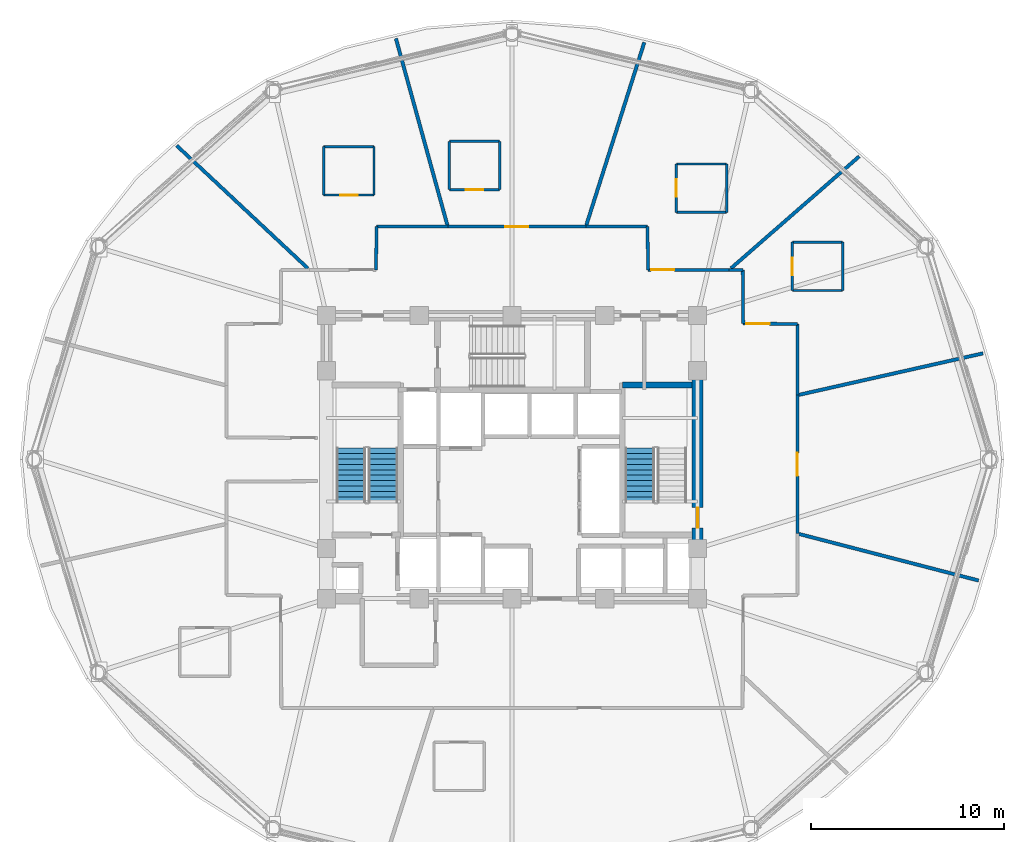
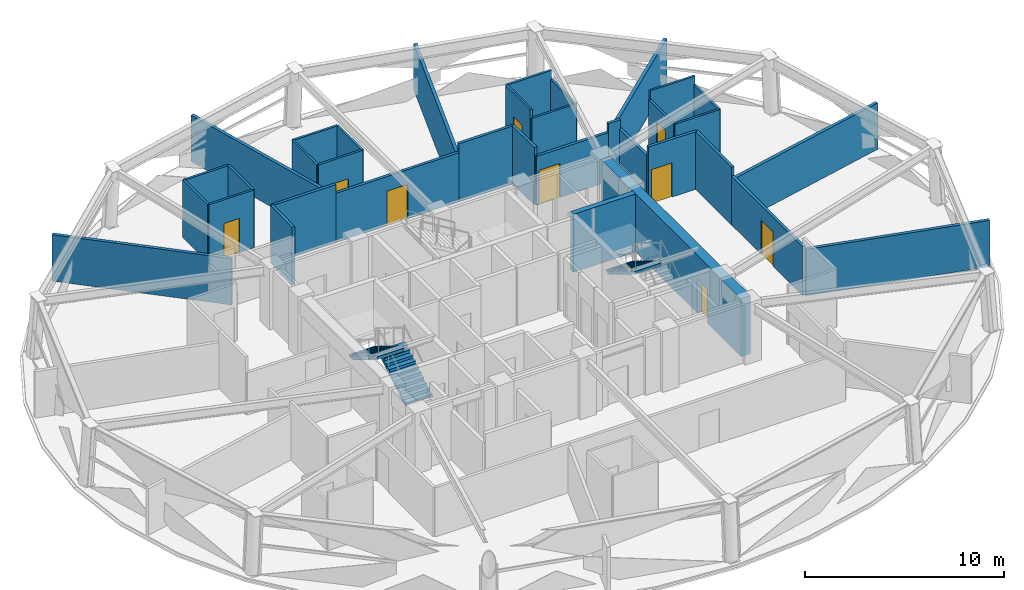
# One storey, part 7 of 12: 35 walls, 9 doors, 3 stair flights, 9 openings, 2 elements without a shape of their own.
"""IFC4 building model written with IfcOpenShell, lengths in metres."""

from ifc_helpers import new_model, si_unit, direction, frame, frame_2d, origin, place, context, subcontext, project, spatial, polyline, rectangle, outline, extrude, material, layer, layer_set, type_object, element, fill, aggregate, save


model = new_model("IFC4")

# Units and contexts
model_context = context("Model", 3, precision=1e-05, world=origin(), true_north=direction((0.0, 1.0)))
body_context = subcontext(model_context, "Body", "Model", "MODEL_VIEW")
ifc_project = project(units=[si_unit("LENGTHUNIT", "METRE"), si_unit("AREAUNIT", "SQUARE_METRE"), si_unit("VOLUMEUNIT", "CUBIC_METRE"), si_unit("PLANEANGLEUNIT", "RADIAN"), si_unit("MASSUNIT", "GRAM", prefix="KILO")], contexts=[model_context])

# Site, building, storey
site_placement = place(None, origin())
site = spatial("IfcSite", under=ifc_project, at=site_placement, CompositionType="ELEMENT")
building_placement = place(site_placement, origin())
building = spatial("IfcBuilding", under=site, at=building_placement, Name="Vantalir Tower", CompositionType="ELEMENT")
storey_placement = place(building_placement, frame((0.0, 0.0, 160.949951171875)))
storey = spatial("IfcBuildingStorey", under=building, at=storey_placement, Name="L40", CompositionType="ELEMENT", Elevation=160.949951171875)

# Walls
ifc_material_1 = material(Name="Moisture-resistant en-suite partition", Category="gypsum")
ifc_layer_1 = layer(ifc_material_1, 0.125)
ifc_layer_set_1 = layer_set([ifc_layer_1], Name="Moisture-resistant en-suite partition")
wall_type_1 = type_object("IfcWallType", Name="WL-BATH-125", PredefinedType="PARTITIONING", material=ifc_layer_set_1)
wall_1_placement = place(storey_placement, frame((46.006103515625, 33.7470703125, 0.0), z_axis=(0.0, 0.0, 1.0), x_axis=(1.0, 0.0, 0.0)))
element("IfcWall", 1, at=wall_1_placement, inside=storey, type_object=wall_type_1, Name="L40 En-suite 01 South Wall", PredefinedType="PARTITIONING", context=body_context, shape_type="SweptSolid", body=[
    extrude(rectangle(XDim=2.599853515625, YDim=0.125, at=frame_2d((1.2998046875, 0.0))), origin(), (0.0, 0.0, 1.0), 3.006103515625),
])
wall_2_placement = place(storey_placement, frame((46.006103515625, 36.2470703125, 0.0), z_axis=(0.0, 0.0, 1.0), x_axis=(1.0, 0.0, 0.0)))
element("IfcWall", 2, at=wall_2_placement, inside=storey, type_object=wall_type_1, Name="L40 En-suite 01 North Wall", PredefinedType="PARTITIONING", context=body_context, shape_type="SweptSolid", body=[
    extrude(rectangle(XDim=2.599853515625, YDim=0.125, at=frame_2d((1.2998046875, 0.0))), origin(), (0.0, 0.0, 1.0), 3.550048828125),
])

# Wall, opening, door
wall_3_placement = place(storey_placement, frame((46.006103515625, 33.7470703125, 0.0), z_axis=(0.0, 0.0, 1.0), x_axis=(0.0, 1.0, 0.0)))
wall_3 = element("IfcWall", 3, at=wall_3_placement, inside=storey, type_object=wall_type_1, Name="L40 En-suite 01 West Wall", PredefinedType="PARTITIONING", context=body_context, shape_type="SweptSolid", body=[
    extrude(rectangle(XDim=2.5, YDim=0.125, at=frame_2d((1.25, 0.0))), origin(), (0.0, 0.0, 1.0), 3.006103515625),
])
opening_1_placement = place(wall_3_placement, frame((0.800048828125, 0.0, 0.0)))
opening_1 = element("IfcOpeningElement", 4, at=opening_1_placement, cuts=wall_3, Name="Opening D-WC", PredefinedType="OPENING", context=body_context, shape_type="SweptSolid", body=[
    extrude(rectangle(XDim=0.89990234375, YDim=2.10009765625, at=frame_2d((0.449951171875, 1.050048828125))), frame((0.0, 0.072509765625, 0.0), z_axis=(0.0, -1.0, 0.0), x_axis=(1.0, 0.0, 0.0)), (0.0, 0.0, 1.0), 0.14501953125),
])
ifc_material_2 = material(Name="Moisture-resistant hardwood door", Category="wood")
door_type_1 = type_object("IfcDoorType", Name="DR-ENSUITE-900", OperationType="NOTDEFINED", PredefinedType="DOOR", material=ifc_material_2)
door_1_placement = place(opening_1_placement, frame((0.89990234375, 0.0, 0.0), z_axis=(0.0, 0.0, 1.0), x_axis=(-1.0, 0.0, 0.0)))
door_1 = element("IfcDoor", 5, at=door_1_placement, inside=storey, type_object=door_type_1, Name="L40 En-suite 01 Door", OperationType="SINGLE_SWING_RIGHT", OverallHeight=2.10009765625, OverallWidth=0.89990234375, PredefinedType="DOOR", context=body_context, shape_type="SweptSolid", body=[
    extrude(rectangle(XDim=0.89990234375, YDim=2.10009765625, at=frame_2d((0.449951171875, 1.050048828125))), frame((0.0, 0.02490234375, 0.0), z_axis=(0.0, -1.0, 0.0), x_axis=(1.0, 0.0, 0.0)), (0.0, 0.0, 1.0), 0.050048828125),
])
fill(opening_1, door_1)

# Walls
wall_4_placement = place(storey_placement, frame((48.60595703125, 33.7470703125, 0.0), z_axis=(0.0, 0.0, 1.0), x_axis=(0.0, 1.0, 0.0)))
element("IfcWall", 6, at=wall_4_placement, inside=storey, type_object=wall_type_1, Name="L40 En-suite 01 East Wall", PredefinedType="PARTITIONING", context=body_context, shape_type="SweptSolid", body=[
    extrude(rectangle(XDim=2.5, YDim=0.125, at=frame_2d((1.25, 0.0))), origin(), (0.0, 0.0, 1.0), 3.006103515625),
])
wall_5_placement = place(storey_placement, frame((40.0029296875, 37.791015625, 0.0), z_axis=(0.0, 0.0, 1.0), x_axis=(1.0, 0.0, 0.0)))
element("IfcWall", 7, at=wall_5_placement, inside=storey, type_object=wall_type_1, Name="L40 En-suite 02 South Wall", PredefinedType="PARTITIONING", context=body_context, shape_type="SweptSolid", body=[
    extrude(rectangle(XDim=2.60009765625, YDim=0.125, at=frame_2d((1.300048828125, 0.0))), origin(), (0.0, 0.0, 1.0), 3.006103515625),
])
wall_6_placement = place(storey_placement, frame((40.0029296875, 40.291015625, 0.0), z_axis=(0.0, 0.0, 1.0), x_axis=(1.0, 0.0, 0.0)))
element("IfcWall", 8, at=wall_6_placement, inside=storey, type_object=wall_type_1, Name="L40 En-suite 02 North Wall", PredefinedType="PARTITIONING", context=body_context, shape_type="SweptSolid", body=[
    extrude(rectangle(XDim=2.60009765625, YDim=0.125, at=frame_2d((1.300048828125, 0.0))), origin(), (0.0, 0.0, 1.0), 3.550048828125),
])

# Wall, opening, door
wall_7_placement = place(storey_placement, frame((40.0029296875, 37.791015625, 0.0), z_axis=(0.0, 0.0, 1.0), x_axis=(0.0, 1.0, 0.0)))
wall_7 = element("IfcWall", 9, at=wall_7_placement, inside=storey, type_object=wall_type_1, Name="L40 En-suite 02 West Wall", PredefinedType="PARTITIONING", context=body_context, shape_type="SweptSolid", body=[
    extrude(rectangle(XDim=2.5, YDim=0.125, at=frame_2d((1.25, 0.0))), origin(), (0.0, 0.0, 1.0), 3.550048828125),
])
opening_2_placement = place(wall_7_placement, frame((0.800048828125, 0.0, 0.0)))
opening_2 = element("IfcOpeningElement", 10, at=opening_2_placement, cuts=wall_7, Name="Opening D-WC", PredefinedType="OPENING", context=body_context, shape_type="SweptSolid", body=[
    extrude(rectangle(XDim=0.89990234375, YDim=2.10009765625, at=frame_2d((0.449951171875, 1.050048828125))), frame((0.0, 0.072509765625, 0.0), z_axis=(0.0, -1.0, 0.0), x_axis=(1.0, 0.0, 0.0)), (0.0, 0.0, 1.0), 0.14501953125),
])
door_2_placement = place(opening_2_placement, frame((0.89990234375, 0.0, 0.0), z_axis=(0.0, 0.0, 1.0), x_axis=(-1.0, 0.0, 0.0)))
door_2 = element("IfcDoor", 11, at=door_2_placement, inside=storey, type_object=door_type_1, Name="L40 En-suite 02 Door", OperationType="SINGLE_SWING_LEFT", OverallHeight=2.10009765625, OverallWidth=0.89990234375, PredefinedType="DOOR", context=body_context, shape_type="SweptSolid", body=[
    extrude(rectangle(XDim=0.89990234375, YDim=2.10009765625, at=frame_2d((0.449951171875, 1.050048828125))), frame((0.0, 0.02490234375, 0.0), z_axis=(0.0, -1.0, 0.0), x_axis=(1.0, 0.0, 0.0)), (0.0, 0.0, 1.0), 0.050048828125),
])
fill(opening_2, door_2)

# Wall
wall_8_placement = place(storey_placement, frame((42.60302734375, 37.791015625, 0.0), z_axis=(0.0, 0.0, 1.0), x_axis=(0.0, 1.0, 0.0)))
element("IfcWall", 12, at=wall_8_placement, inside=storey, type_object=wall_type_1, Name="L40 En-suite 02 East Wall", PredefinedType="PARTITIONING", context=body_context, shape_type="SweptSolid", body=[
    extrude(rectangle(XDim=2.5, YDim=0.125, at=frame_2d((1.25, 0.0))), origin(), (0.0, 0.0, 1.0), 3.006103515625),
])

# Wall, opening, door
wall_9_placement = place(storey_placement, frame((28.258056640625, 38.9619140625, 0.0), z_axis=(0.0, 0.0, 1.0), x_axis=(1.0, 0.0, 0.0)))
wall_9 = element("IfcWall", 13, at=wall_9_placement, inside=storey, type_object=wall_type_1, Name="L40 En-suite 03 South Wall", PredefinedType="PARTITIONING", context=body_context, shape_type="SweptSolid", body=[
    extrude(rectangle(XDim=2.599853515625, YDim=0.125, at=frame_2d((1.2998046875, 0.0))), origin(), (0.0, 0.0, 1.0), 3.550048828125),
])
opening_3_placement = place(wall_9_placement, frame((0.85009765625, 0.0, 0.0)))
opening_3 = element("IfcOpeningElement", 14, at=opening_3_placement, cuts=wall_9, Name="Opening D-WC", PredefinedType="OPENING", context=body_context, shape_type="SweptSolid", body=[
    extrude(rectangle(XDim=0.89990234375, YDim=2.10009765625, at=frame_2d((0.449951171875, 1.050048828125))), frame((0.0, 0.072509765625, 0.0), z_axis=(0.0, -1.0, 0.0), x_axis=(1.0, 0.0, 0.0)), (0.0, 0.0, 1.0), 0.14501953125),
])
door_3_placement = place(opening_3_placement, origin())
door_3 = element("IfcDoor", 15, at=door_3_placement, inside=storey, type_object=door_type_1, Name="L40 En-suite 03 Door", OperationType="SINGLE_SWING_RIGHT", OverallHeight=2.10009765625, OverallWidth=0.89990234375, PredefinedType="DOOR", context=body_context, shape_type="SweptSolid", body=[
    extrude(rectangle(XDim=0.89990234375, YDim=2.10009765625, at=frame_2d((0.449951171875, 1.050048828125))), frame((0.0, 0.02490234375, 0.0), z_axis=(0.0, -1.0, 0.0), x_axis=(1.0, 0.0, 0.0)), (0.0, 0.0, 1.0), 0.050048828125),
])
fill(opening_3, door_3)

# Walls
wall_10_placement = place(storey_placement, frame((28.258056640625, 41.4619140625, 0.0), z_axis=(0.0, 0.0, 1.0), x_axis=(1.0, 0.0, 0.0)))
element("IfcWall", 16, at=wall_10_placement, inside=storey, type_object=wall_type_1, Name="L40 En-suite 03 North Wall", PredefinedType="PARTITIONING", context=body_context, shape_type="SweptSolid", body=[
    extrude(rectangle(XDim=2.599853515625, YDim=0.125, at=frame_2d((1.2998046875, 0.0))), origin(), (0.0, 0.0, 1.0), 3.550048828125),
])
for number, where, z_axis, x_axis, name in (
    (17, (28.258056640625, 38.9619140625, 0.0), (0.0, 0.0, 1.0), (0.0, 1.0, 0.0), "L40 En-suite 03 West Wall"),
    (18, (30.85791015625, 38.9619140625, 0.0), (0.0, 0.0, 1.0), (0.0, 1.0, 0.0), "L40 En-suite 03 East Wall"),
):
    element("IfcWall", number, at=place(storey_placement, frame(where, z_axis=z_axis, x_axis=x_axis)), inside=storey, type_object=wall_type_1, Name=name, PredefinedType="PARTITIONING", context=body_context, shape_type="SweptSolid", body=[
        extrude(rectangle(XDim=2.5, YDim=0.125, at=frame_2d((1.25, 0.0))), origin(), (0.0, 0.0, 1.0), 3.550048828125),
    ])

# Wall, opening, door
wall_11_placement = place(storey_placement, frame((21.758056640625, 38.68701171875, 0.0), z_axis=(0.0, 0.0, 1.0), x_axis=(1.0, 0.0, 0.0)))
wall_11 = element("IfcWall", 19, at=wall_11_placement, inside=storey, type_object=wall_type_1, Name="L40 En-suite 04 South Wall", PredefinedType="PARTITIONING", context=body_context, shape_type="SweptSolid", body=[
    extrude(rectangle(XDim=2.599853515625, YDim=0.125, at=frame_2d((1.2998046875, 0.0))), origin(), (0.0, 0.0, 1.0), 3.550048828125),
])
opening_4_placement = place(wall_11_placement, frame((0.85009765625, 0.0, 0.0)))
opening_4 = element("IfcOpeningElement", 20, at=opening_4_placement, cuts=wall_11, Name="Opening D-WC", PredefinedType="OPENING", context=body_context, shape_type="SweptSolid", body=[
    extrude(rectangle(XDim=0.89990234375, YDim=2.10009765625, at=frame_2d((0.449951171875, 1.050048828125))), frame((0.0, 0.072509765625, 0.0), z_axis=(0.0, -1.0, 0.0), x_axis=(1.0, 0.0, 0.0)), (0.0, 0.0, 1.0), 0.14501953125),
])
door_4_placement = place(opening_4_placement, origin())
door_4 = element("IfcDoor", 21, at=door_4_placement, inside=storey, type_object=door_type_1, Name="L40 En-suite 04 Door", OperationType="SINGLE_SWING_LEFT", OverallHeight=2.10009765625, OverallWidth=0.89990234375, PredefinedType="DOOR", context=body_context, shape_type="SweptSolid", body=[
    extrude(rectangle(XDim=0.89990234375, YDim=2.10009765625, at=frame_2d((0.449951171875, 1.050048828125))), frame((0.0, 0.02490234375, 0.0), z_axis=(0.0, -1.0, 0.0), x_axis=(1.0, 0.0, 0.0)), (0.0, 0.0, 1.0), 0.050048828125),
])
fill(opening_4, door_4)

# Walls
wall_12_placement = place(storey_placement, frame((21.758056640625, 41.18701171875, 0.0), z_axis=(0.0, 0.0, 1.0), x_axis=(1.0, 0.0, 0.0)))
element("IfcWall", 22, at=wall_12_placement, inside=storey, type_object=wall_type_1, Name="L40 En-suite 04 North Wall", PredefinedType="PARTITIONING", context=body_context, shape_type="SweptSolid", body=[
    extrude(rectangle(XDim=2.599853515625, YDim=0.125, at=frame_2d((1.2998046875, 0.0))), origin(), (0.0, 0.0, 1.0), 3.550048828125),
])
for number, where, z_axis, x_axis, name in (
    (23, (21.758056640625, 38.68701171875, 0.0), (0.0, 0.0, 1.0), (0.0, 1.0, 0.0), "L40 En-suite 04 West Wall"),
    (24, (24.35791015625, 38.68701171875, 0.0), (0.0, 0.0, 1.0), (0.0, 1.0, 0.0), "L40 En-suite 04 East Wall"),
):
    element("IfcWall", number, at=place(storey_placement, frame(where, z_axis=z_axis, x_axis=x_axis)), inside=storey, type_object=wall_type_1, Name=name, PredefinedType="PARTITIONING", context=body_context, shape_type="SweptSolid", body=[
        extrude(rectangle(XDim=2.5, YDim=0.125, at=frame_2d((1.25, 0.0))), origin(), (0.0, 0.0, 1.0), 3.550048828125),
    ])

# Wall, opening, door
ifc_material_3 = material(Name="Concrete C60/75", Category="concrete")
ifc_layer_2 = layer(ifc_material_3, 0.550048828125)
ifc_layer_set_2 = layer_set([ifc_layer_2], Name="Concrete C60/75")
wall_type_2 = type_object("IfcWallType", Name="WL-CORE-550", PredefinedType="SHEAR", material=ifc_layer_set_2)
wall_13_placement = place(storey_placement, frame((41.10009765625, 18.074951171875, 0.0), z_axis=(0.0, 0.0, 1.0), x_axis=(0.0, 1.0, 0.0)))
wall_13 = element("IfcWall", 25, at=wall_13_placement, inside=storey, type_object=wall_type_2, Name="L40 Core Shear Wall East", PredefinedType="SHEAR", context=body_context, shape_type="SweptSolid", body=[
    extrude(rectangle(XDim=14.10009765625, YDim=0.550048828125, at=frame_2d((7.050048828125, 0.0))), origin(), (0.0, 0.0, 1.0), 3.570068359375),
])
opening_5_placement = place(wall_13_placement, frame((3.385009765625, 0.0, 0.0)))
opening_5 = element("IfcOpeningElement", 26, at=opening_5_placement, cuts=wall_13, Name="Opening D-ST", PredefinedType="OPENING", context=body_context, shape_type="SweptSolid", body=[
    extrude(rectangle(XDim=1.050048828125, YDim=2.10009765625, at=frame_2d((0.52490234375, 1.050048828125))), frame((0.0, 0.284912109375, 0.0), z_axis=(0.0, -1.0, 0.0), x_axis=(1.0, 0.0, 0.0)), (0.0, 0.0, 1.0), 0.570068359375),
])
ifc_material_4 = material(Name="Fire-rated steel door leaf", Category="steel")
door_type_2 = type_object("IfcDoorType", Name="DR-FIRE-STAIR-1050", OperationType="NOTDEFINED", PredefinedType="DOOR", material=ifc_material_4)
door_5_placement = place(opening_5_placement, origin())
door_5 = element("IfcDoor", 27, at=door_5_placement, inside=storey, type_object=door_type_2, Name="L40 Exit Stair ST2 Fire Door", OperationType="SINGLE_SWING_LEFT", OverallHeight=2.10009765625, OverallWidth=1.050048828125, PredefinedType="DOOR", context=body_context, shape_type="SweptSolid", body=[
    extrude(rectangle(XDim=1.050048828125, YDim=2.10009765625, at=frame_2d((0.52490234375, 1.050048828125))), frame((0.0, 0.02490234375, 0.0), z_axis=(0.0, -1.0, 0.0), x_axis=(1.0, 0.0, 0.0)), (0.0, 0.0, 1.0), 0.050048828125),
])
fill(opening_5, door_5)

# Walls
ifc_material_5 = material(Name="Fire-rated hotel corridor acoustic partition", Category="gypsum")
ifc_layer_3 = layer(ifc_material_5, 0.159912109375)
ifc_layer_set_3 = layer_set([ifc_layer_3], Name="Fire-rated hotel corridor acoustic partition")
wall_type_3 = type_object("IfcWallType", Name="WL-CORR-160", PredefinedType="PARTITIONING", material=ifc_layer_set_3)
wall_14_placement = place(storey_placement, frame((24.4599609375, 34.81494140625, 0.0), z_axis=(0.0, 0.0, 1.0), x_axis=(0.016149808833, 0.999869583333, 0.0)))
element("IfcWall", 28, at=wall_14_placement, inside=storey, type_object=wall_type_3, Name="L40 Corridor Partition 08", PredefinedType="PARTITIONING", context=body_context, shape_type="SweptSolid", body=[
    extrude(rectangle(XDim=2.2373046875, YDim=0.159912109375, at=frame_2d((1.11865234375, 0.0))), origin(), (0.0, 0.0, 1.0), 3.550048828125),
])
wall_15_placement = place(storey_placement, frame((24.49609375, 37.052001953125, 0.0), z_axis=(0.0, 0.0, 1.0), x_axis=(1.0, 0.0, 0.0)))
element("IfcWall", 29, at=wall_15_placement, inside=storey, type_object=wall_type_3, Name="L40 Corridor Partition 09", PredefinedType="PARTITIONING", context=body_context, shape_type="SweptSolid", body=[
    extrude(rectangle(XDim=3.680908203125, YDim=0.159912109375, at=frame_2d((1.84033203125, 0.0))), origin(), (0.0, 0.0, 1.0), 3.550048828125),
])

# Wall, opening, door
wall_16_placement = place(storey_placement, frame((28.177001953125, 37.052001953125, 0.0), z_axis=(0.0, 0.0, 1.0), x_axis=(0.99999999066, -0.000136677372, 0.0)))
wall_16 = element("IfcWall", 30, at=wall_16_placement, inside=storey, type_object=wall_type_3, Name="L40 Corridor Partition 10", PredefinedType="PARTITIONING", context=body_context, shape_type="SweptSolid", body=[
    extrude(rectangle(XDim=7.14501953125, YDim=0.159912109375, at=frame_2d((3.572509765625, 0.0))), origin(), (0.0, 0.0, 1.0), 3.006103515625),
])
opening_6_placement = place(wall_16_placement, frame((2.972900390625, 0.0, 0.0)))
opening_6 = element("IfcOpeningElement", 31, at=opening_6_placement, cuts=wall_16, Name="Opening D-STE", PredefinedType="OPENING", context=body_context, shape_type="SweptSolid", body=[
    extrude(rectangle(XDim=1.199951171875, YDim=2.10009765625, at=frame_2d((0.60009765625, 1.050048828125))), frame((0.0, 0.08984375, 0.0), z_axis=(0.0, -1.0, 0.0), x_axis=(1.0, 0.0, 0.0)), (0.0, 0.0, 1.0), 0.179931640625),
])
ifc_material_6 = material(Name="Solid-core teak veneer suite entrance door", Category="wood")
door_type_3 = type_object("IfcDoorType", Name="DR-SUITE-ENTRY-1200", OperationType="NOTDEFINED", PredefinedType="DOOR", material=ifc_material_6)
door_6_placement = place(opening_6_placement, origin())
door_6 = element("IfcDoor", 32, at=door_6_placement, inside=storey, type_object=door_type_3, Name="L40 Executive Club Hotel Suite 03 Door", OperationType="SINGLE_SWING_RIGHT", OverallHeight=2.10009765625, OverallWidth=1.199951171875, PredefinedType="DOOR", context=body_context, shape_type="SweptSolid", body=[
    extrude(rectangle(XDim=1.199951171875, YDim=2.10009765625, at=frame_2d((0.60009765625, 1.050048828125))), frame((0.0, 0.02490234375, 0.0), z_axis=(0.0, -1.0, 0.0), x_axis=(1.0, 0.0, 0.0)), (0.0, 0.0, 1.0), 0.050048828125),
])
fill(opening_6, door_6)

# Walls
wall_17_placement = place(storey_placement, frame((35.322021484375, 37.051025390625, 0.0), z_axis=(0.0, 0.0, 1.0), x_axis=(1.0, 0.0, 0.0)))
element("IfcWall", 33, at=wall_17_placement, inside=storey, type_object=wall_type_3, Name="L40 Corridor Partition 11", PredefinedType="PARTITIONING", context=body_context, shape_type="SweptSolid", body=[
    extrude(rectangle(XDim=3.18994140625, YDim=0.159912109375, at=frame_2d((1.594970703125, 0.0))), origin(), (0.0, 0.0, 1.0), 3.550048828125),
])
wall_18_placement = place(storey_placement, frame((38.511962890625, 37.051025390625, 0.0), z_axis=(0.0, 0.0, 1.0), x_axis=(0.012554966271, -0.999921183305, 0.0)))
element("IfcWall", 34, at=wall_18_placement, inside=storey, type_object=wall_type_3, Name="L40 Corridor Partition 12", PredefinedType="PARTITIONING", context=body_context, shape_type="SweptSolid", body=[
    extrude(rectangle(XDim=2.236328125, YDim=0.159912109375, at=frame_2d((1.1181640625, 0.0))), origin(), (0.0, 0.0, 1.0), 3.550048828125),
])

# Wall, opening, door
wall_19_placement = place(storey_placement, frame((38.5400390625, 34.81494140625, 0.0), z_axis=(0.0, 0.0, 1.0), x_axis=(0.999999756484, -0.00069787712, 0.0)))
wall_19 = element("IfcWall", 35, at=wall_19_placement, inside=storey, type_object=wall_type_3, Name="L40 Corridor Partition 13", PredefinedType="PARTITIONING", context=body_context, shape_type="SweptSolid", body=[
    extrude(rectangle(XDim=4.197998046875, YDim=0.159912109375, at=frame_2d((2.09912109375, 0.0))), origin(), (0.0, 0.0, 1.0), 3.006103515625),
])
opening_7_placement = place(wall_19_placement, frame((0.159912109375, 0.0, 0.0)))
opening_7 = element("IfcOpeningElement", 36, at=opening_7_placement, cuts=wall_19, Name="Opening D-STE", PredefinedType="OPENING", context=body_context, shape_type="SweptSolid", body=[
    extrude(rectangle(XDim=1.199951171875, YDim=2.10009765625, at=frame_2d((0.60009765625, 1.050048828125))), frame((0.0, 0.08984375, 0.0), z_axis=(0.0, -1.0, 0.0), x_axis=(1.0, 0.0, 0.0)), (0.0, 0.0, 1.0), 0.179931640625),
])
door_7_placement = place(opening_7_placement, origin())
door_7 = element("IfcDoor", 37, at=door_7_placement, inside=storey, type_object=door_type_3, Name="L40 Executive Club Hotel Suite 02 Door", OperationType="SINGLE_SWING_LEFT", OverallHeight=2.10009765625, OverallWidth=1.199951171875, PredefinedType="DOOR", context=body_context, shape_type="SweptSolid", body=[
    extrude(rectangle(XDim=1.199951171875, YDim=2.10009765625, at=frame_2d((0.60009765625, 1.050048828125))), frame((0.0, 0.02490234375, 0.0), z_axis=(0.0, -1.0, 0.0), x_axis=(1.0, 0.0, 0.0)), (0.0, 0.0, 1.0), 0.050048828125),
])
fill(opening_7, door_7)

# Walls
wall_20_placement = place(storey_placement, frame((42.738037109375, 34.81201171875, 0.0), z_axis=(0.0, 0.0, 1.0), x_axis=(1.0, 0.0, 0.0)))
element("IfcWall", 38, at=wall_20_placement, inside=storey, type_object=wall_type_3, Name="L40 Corridor Partition 14", PredefinedType="PARTITIONING", context=body_context, shape_type="SweptSolid", body=[
    extrude(rectangle(XDim=0.701904296875, YDim=0.159912109375, at=frame_2d((0.35107421875, 0.0))), origin(), (0.0, 0.0, 1.0), 3.550048828125),
])
wall_21_placement = place(storey_placement, frame((43.43994140625, 34.81201171875, 0.0), z_axis=(0.0, 0.0, 1.0), x_axis=(0.009071319538, -0.999958854734, 0.0)))
element("IfcWall", 39, at=wall_21_placement, inside=storey, type_object=wall_type_3, Name="L40 Corridor Partition 15", PredefinedType="PARTITIONING", context=body_context, shape_type="SweptSolid", body=[
    extrude(rectangle(XDim=2.77197265625, YDim=0.159912109375, at=frame_2d((1.385986328125, 0.0))), origin(), (0.0, 0.0, 1.0), 3.006103515625),
])

# Wall, opening, door
wall_22_placement = place(storey_placement, frame((43.465087890625, 32.0400390625, 0.0), z_axis=(0.0, 0.0, 1.0), x_axis=(0.99995973187, -0.008974109295, 0.0)))
wall_22 = element("IfcWall", 40, at=wall_22_placement, inside=storey, type_object=wall_type_3, Name="L40 Corridor Partition 16", PredefinedType="PARTITIONING", context=body_context, shape_type="SweptSolid", body=[
    extrude(rectangle(XDim=2.802001953125, YDim=0.159912109375, at=frame_2d((1.40087890625, 0.0))), origin(), (0.0, 0.0, 1.0), 3.550048828125),
])
opening_8_placement = place(wall_22_placement, frame((0.159912109375, 0.0, 0.0)))
opening_8 = element("IfcOpeningElement", 41, at=opening_8_placement, cuts=wall_22, Name="Opening D-STE", PredefinedType="OPENING", context=body_context, shape_type="SweptSolid", body=[
    extrude(rectangle(XDim=1.199951171875, YDim=2.10009765625, at=frame_2d((0.60009765625, 1.050048828125))), frame((0.0, 0.08984375, 0.0), z_axis=(0.0, -1.0, 0.0), x_axis=(1.0, 0.0, 0.0)), (0.0, 0.0, 1.0), 0.179931640625),
])
door_8_placement = place(opening_8_placement, origin())
door_8 = element("IfcDoor", 42, at=door_8_placement, inside=storey, type_object=door_type_3, Name="L40 Corner Panorama Hotel Suite 01 Door", OperationType="SINGLE_SWING_RIGHT", OverallHeight=2.10009765625, OverallWidth=1.199951171875, PredefinedType="DOOR", context=body_context, shape_type="SweptSolid", body=[
    extrude(rectangle(XDim=1.199951171875, YDim=2.10009765625, at=frame_2d((0.60009765625, 1.050048828125))), frame((0.0, 0.02490234375, 0.0), z_axis=(0.0, -1.0, 0.0), x_axis=(1.0, 0.0, 0.0)), (0.0, 0.0, 1.0), 0.050048828125),
])
fill(opening_8, door_8)

# Wall
wall_23_placement = place(storey_placement, frame((46.26708984375, 32.014892578125, 0.0), z_axis=(0.0, 0.0, 1.0), x_axis=(0.0, -1.0, 0.0)))
element("IfcWall", 43, at=wall_23_placement, inside=storey, type_object=wall_type_3, Name="L40 Corridor Partition 17", PredefinedType="PARTITIONING", context=body_context, shape_type="SweptSolid", body=[
    extrude(rectangle(XDim=3.685791015625, YDim=0.159912109375, at=frame_2d((1.8427734375, 0.0))), origin(), (0.0, 0.0, 1.0), 3.550048828125),
])

# Wall, opening, door
wall_24_placement = place(storey_placement, frame((46.26708984375, 28.3291015625, 0.0), z_axis=(0.0, 0.0, 1.0), x_axis=(0.000136425647, -0.999999990694, 0.0)))
wall_24 = element("IfcWall", 44, at=wall_24_placement, inside=storey, type_object=wall_type_3, Name="L40 Corridor Partition 18", PredefinedType="PARTITIONING", context=body_context, shape_type="SweptSolid", body=[
    extrude(rectangle(XDim=7.158203125, YDim=0.159912109375, at=frame_2d((3.5791015625, 0.0))), origin(), (0.0, 0.0, 1.0), 3.006103515625),
])
opening_9_placement = place(wall_24_placement, frame((2.97900390625, 0.0, 0.0)))
opening_9 = element("IfcOpeningElement", 45, at=opening_9_placement, cuts=wall_24, Name="Opening D-STE", PredefinedType="OPENING", context=body_context, shape_type="SweptSolid", body=[
    extrude(rectangle(XDim=1.199951171875, YDim=2.10009765625, at=frame_2d((0.60009765625, 1.050048828125))), frame((0.0, 0.08984375, 0.0), z_axis=(0.0, -1.0, 0.0), x_axis=(1.0, 0.0, 0.0)), (0.0, 0.0, 1.0), 0.179931640625),
])
door_9_placement = place(opening_9_placement, origin())
door_9 = element("IfcDoor", 46, at=door_9_placement, inside=storey, type_object=door_type_3, Name="L40 Executive Sky Boardroom 10 Door", OperationType="SINGLE_SWING_LEFT", OverallHeight=2.10009765625, OverallWidth=1.199951171875, PredefinedType="DOOR", context=body_context, shape_type="SweptSolid", body=[
    extrude(rectangle(XDim=1.199951171875, YDim=2.10009765625, at=frame_2d((0.60009765625, 1.050048828125))), frame((0.0, 0.02490234375, 0.0), z_axis=(0.0, -1.0, 0.0), x_axis=(1.0, 0.0, 0.0)), (0.0, 0.0, 1.0), 0.050048828125),
])
fill(opening_9, door_9)

# Walls
ifc_material_7 = material(Name="Twin-stud acoustic fire-rated gypsum partition", Category="gypsum")
ifc_layer_4 = layer(ifc_material_7, 0.179931640625)
ifc_layer_set_4 = layer_set([ifc_layer_4], Name="Twin-stud acoustic fire-rated gypsum partition")
wall_type_4 = type_object("IfcWallType", Name="WL-GUEST-180", PredefinedType="PARTITIONING", material=ifc_layer_set_4)
wall_25_placement = place(storey_placement, frame((46.344970703125, 28.346923828125, 0.0), z_axis=(0.0, 0.0, 1.0), x_axis=(0.975513709094, 0.219938635466, 0.0)))
element("IfcWall", 47, at=wall_25_placement, inside=storey, type_object=wall_type_4, Name="L40 Radial Suite Partition 01", PredefinedType="PARTITIONING", context=body_context, shape_type="SweptSolid", body=[
    extrude(rectangle(XDim=9.767333984375, YDim=0.179931640625, at=frame_2d((4.8837890625, 0.0))), origin(), (0.0, 0.0, 1.0), 2.85205078125),
])
wall_26_placement = place(storey_placement, frame((42.826904296875, 34.889892578125, 0.0), z_axis=(0.0, 0.0, 1.0), x_axis=(0.753245296601, 0.657739707748, 0.0)))
element("IfcWall", 48, at=wall_26_placement, inside=storey, type_object=wall_type_4, Name="L40 Radial Suite Partition 02", PredefinedType="PARTITIONING", context=body_context, shape_type="SweptSolid", body=[
    extrude(rectangle(XDim=8.816650390625, YDim=0.179931640625, at=frame_2d((4.408203125, 0.0))), origin(), (0.0, 0.0, 1.0), 2.85205078125),
])
wall_27_placement = place(storey_placement, frame((35.345947265625, 37.1279296875, 0.0), z_axis=(0.0, 0.0, 1.0), x_axis=(0.302318013696, 0.95320712261, 0.0)))
element("IfcWall", 49, at=wall_27_placement, inside=storey, type_object=wall_type_4, Name="L40 Radial Suite Partition 03", PredefinedType="PARTITIONING", context=body_context, shape_type="SweptSolid", body=[
    extrude(rectangle(XDim=9.92333984375, YDim=0.179931640625, at=frame_2d((4.961669921875, 0.0))), origin(), (0.0, 0.0, 1.0), 2.85205078125),
])
wall_28_placement = place(storey_placement, frame((28.156005859375, 37.1279296875, 0.0), z_axis=(0.0, 0.0, 1.0), x_axis=(-0.265763479933, 0.964038263107, 0.0)))
element("IfcWall", 50, at=wall_28_placement, inside=storey, type_object=wall_type_4, Name="L40 Radial Suite Partition 04", PredefinedType="PARTITIONING", context=body_context, shape_type="SweptSolid", body=[
    extrude(rectangle(XDim=10.0205078125, YDim=0.179931640625, at=frame_2d((5.01025390625, 0.0))), origin(), (0.0, 0.0, 1.0), 2.85205078125),
])
wall_29_placement = place(storey_placement, frame((20.93798828125, 34.889892578125, 0.0), z_axis=(0.0, 0.0, 1.0), x_axis=(-0.730006343417, 0.683440369433, 0.0)))
element("IfcWall", 51, at=wall_29_placement, inside=storey, type_object=wall_type_4, Name="L40 Radial Suite Partition 05", PredefinedType="PARTITIONING", context=body_context, shape_type="SweptSolid", body=[
    extrude(rectangle(XDim=9.295654296875, YDim=0.179931640625, at=frame_2d((4.64794921875, 0.0))), origin(), (0.0, 0.0, 1.0), 2.85205078125),
])
wall_30_placement = place(storey_placement, frame((46.344970703125, 21.15087890625, 0.0), z_axis=(0.0, 0.0, 1.0), x_axis=(0.967996440842, -0.250963922742, 0.0)))
element("IfcWall", 52, at=wall_30_placement, inside=storey, type_object=wall_type_4, Name="L40 Radial Suite Partition 10", PredefinedType="PARTITIONING", context=body_context, shape_type="SweptSolid", body=[
    extrude(rectangle(XDim=9.6064453125, YDim=0.179931640625, at=frame_2d((4.80322265625, 0.0))), origin(), (0.0, 0.0, 1.0), 2.85205078125),
])
ifc_material_8 = material(Name="Concrete C50/60", Category="concrete")
ifc_layer_5 = layer(ifc_material_8, 0.300048828125)
ifc_layer_set_5 = layer_set([ifc_layer_5], Name="Concrete C50/60")
wall_type_5 = type_object("IfcWallType", Name="WL-STAIR-300", PredefinedType="SHEAR", material=ifc_layer_set_5)
wall_31_placement = place(storey_placement, frame((37.2099609375, 28.85009765625, 0.0), z_axis=(0.0, 0.0, 1.0), x_axis=(1.0, 0.0, 0.0)))
element("IfcWall", 53, at=wall_31_placement, inside=storey, type_object=wall_type_5, Name="L40 Stair ST2 North Wall", PredefinedType="SHEAR", context=body_context, shape_type="SweptSolid", body=[
    extrude(rectangle(XDim=3.614990234375, YDim=0.300048828125, at=frame_2d((1.8076171875, 0.0))), origin(), (0.0, 0.0, 1.0), 3.570068359375),
])

# Stair, stair flights
ifc_material_9 = material(Name="Concrete C40/50", Category="concrete")
stair_type = type_object("IfcStairType", Name="STR-CORE-1450", PredefinedType="HALF_TURN_STAIR", material=ifc_material_9)
stair_1_placement = place(storey_placement, origin())
stair_1 = element("IfcStair", 54, at=stair_1_placement, inside=storey, type_object=stair_type, Name="L40 Core Exit Stair 1", PredefinedType="HALF_TURN_STAIR")
stair_flight_type = type_object("IfcStairFlightType", Name="FLT-CORE-1450", PredefinedType="STRAIGHT", material=ifc_material_9)
stair_flight_1_placement = place(storey_placement, frame((24.830078125, 22.7900390625, 0.0), z_axis=(0.0, 0.0, 1.0), x_axis=(0.0, 1.0, 0.0)))
stair_flight_1 = element("IfcStairFlight", 55, at=stair_flight_1_placement, type_object=stair_flight_type, Name="ST1 flight 1", NumberOfRisers=11, NumberOfTreads=10, PredefinedType="STRAIGHT", RiserHeight=0.170454545, TreadLength=0.28, context=body_context, shape_type="SweptSolid", body=[
    extrude(outline(polyline([(0.0, 0.0), (0.0, 0.17041015625), (0.280029296875, 0.17041015625), (0.280029296875, 0.3408203125), (0.56005859375, 0.3408203125), (0.56005859375, 0.511474609375), (0.840087890625, 0.511474609375), (0.840087890625, 0.681884765625), (1.1201171875, 0.681884765625), (1.1201171875, 0.852294921875), (1.39990234375, 0.852294921875), (1.39990234375, 1.022705078125), (1.679931640625, 1.022705078125), (1.679931640625, 1.193115234375), (1.9599609375, 1.193115234375), (1.9599609375, 1.363525390625), (2.239990234375, 1.363525390625), (2.239990234375, 1.5341796875), (2.52001953125, 1.5341796875), (2.52001953125, 1.70458984375), (2.800048828125, 1.70458984375), (2.800048828125, 1.875), (2.800048828125, 1.529052734375), (0.288330078125, 0.0), (0.0, 0.0)])), frame((0.0, 0.77001953125, 0.0), z_axis=(0.0, -1.0, 0.0), x_axis=(1.0, 0.0, 0.0)), (0.0, 0.0, 1.0), 1.5400390625),
])
stair_flight_2_placement = place(storey_placement, frame((23.169921875, 25.590087890625, 1.875), z_axis=(0.0, 0.0, 1.0), x_axis=(0.0, -1.0, 0.0)))
stair_flight_2 = element("IfcStairFlight", 56, at=stair_flight_2_placement, type_object=stair_flight_type, Name="ST1 flight 2", NumberOfRisers=11, NumberOfTreads=10, PredefinedType="STRAIGHT", RiserHeight=0.170454545, TreadLength=0.28, context=body_context, shape_type="SweptSolid", body=[
    extrude(outline(polyline([(0.0, 0.0), (0.0, 0.17041015625), (0.280029296875, 0.17041015625), (0.280029296875, 0.3408203125), (0.56005859375, 0.3408203125), (0.56005859375, 0.511474609375), (0.840087890625, 0.511474609375), (0.840087890625, 0.681884765625), (1.1201171875, 0.681884765625), (1.1201171875, 0.852294921875), (1.39990234375, 0.852294921875), (1.39990234375, 1.022705078125), (1.679931640625, 1.022705078125), (1.679931640625, 1.193115234375), (1.9599609375, 1.193115234375), (1.9599609375, 1.363525390625), (2.239990234375, 1.363525390625), (2.239990234375, 1.5341796875), (2.52001953125, 1.5341796875), (2.52001953125, 1.70458984375), (2.800048828125, 1.70458984375), (2.800048828125, 1.875), (2.800048828125, 1.529052734375), (0.288330078125, 0.0), (0.0, 0.0)])), frame((0.0, 0.77001953125, 0.0), z_axis=(0.0, -1.0, 0.0), x_axis=(1.0, 0.0, 0.0)), (0.0, 0.0, 1.0), 1.5400390625),
])
aggregate(stair_1, [stair_flight_1, stair_flight_2])

# Stair, stair flight
stair_2_placement = place(storey_placement, origin())
stair_2 = element("IfcStair", 57, at=stair_2_placement, inside=storey, type_object=stair_type, Name="L40 Core Exit Stair 2", PredefinedType="HALF_TURN_STAIR")
stair_flight_3_placement = place(storey_placement, frame((38.1201171875, 25.590087890625, 1.875), z_axis=(0.0, 0.0, 1.0), x_axis=(0.0, -1.0, 0.0)))
stair_flight_3 = element("IfcStairFlight", 58, at=stair_flight_3_placement, type_object=stair_flight_type, Name="ST2 flight 2", NumberOfRisers=11, NumberOfTreads=10, PredefinedType="STRAIGHT", RiserHeight=0.170454545, TreadLength=0.28, context=body_context, shape_type="SweptSolid", body=[
    extrude(outline(polyline([(0.0, 0.0), (0.0, 0.17041015625), (0.280029296875, 0.17041015625), (0.280029296875, 0.3408203125), (0.56005859375, 0.3408203125), (0.56005859375, 0.511474609375), (0.840087890625, 0.511474609375), (0.840087890625, 0.681884765625), (1.1201171875, 0.681884765625), (1.1201171875, 0.852294921875), (1.39990234375, 0.852294921875), (1.39990234375, 1.022705078125), (1.679931640625, 1.022705078125), (1.679931640625, 1.193115234375), (1.9599609375, 1.193115234375), (1.9599609375, 1.363525390625), (2.239990234375, 1.363525390625), (2.239990234375, 1.5341796875), (2.52001953125, 1.5341796875), (2.52001953125, 1.70458984375), (2.800048828125, 1.70458984375), (2.800048828125, 1.875), (2.800048828125, 1.529052734375), (0.288330078125, 0.0), (0.0, 0.0)])), frame((0.0, 0.77001953125, 0.0), z_axis=(0.0, -1.0, 0.0), x_axis=(1.0, 0.0, 0.0)), (0.0, 0.0, 1.0), 1.5400390625),
])
aggregate(stair_2, [stair_flight_3])

save(model, "model.ifc")
